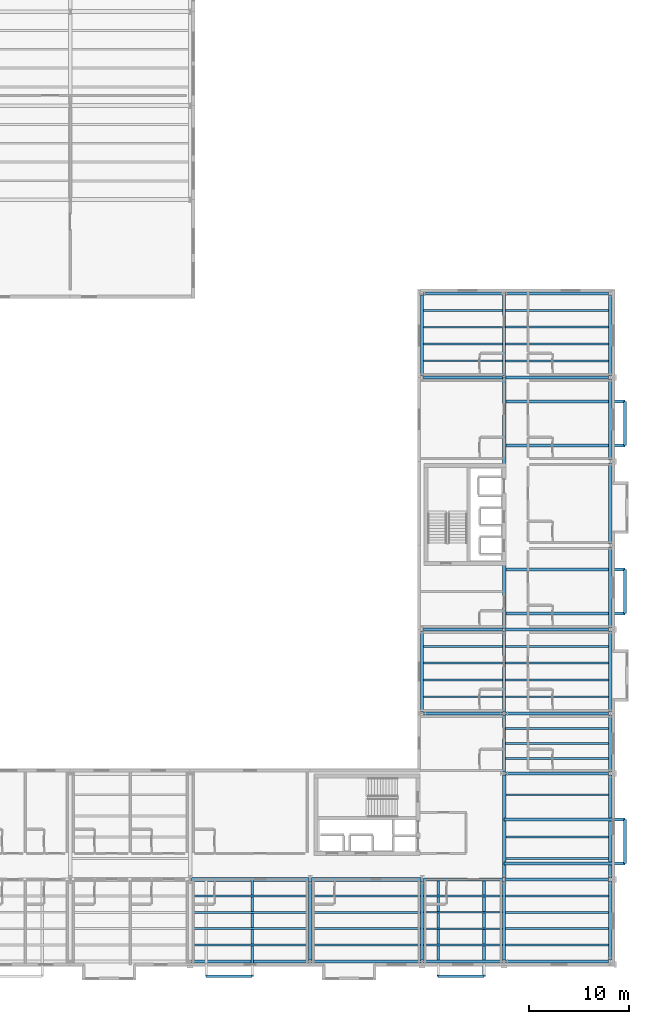
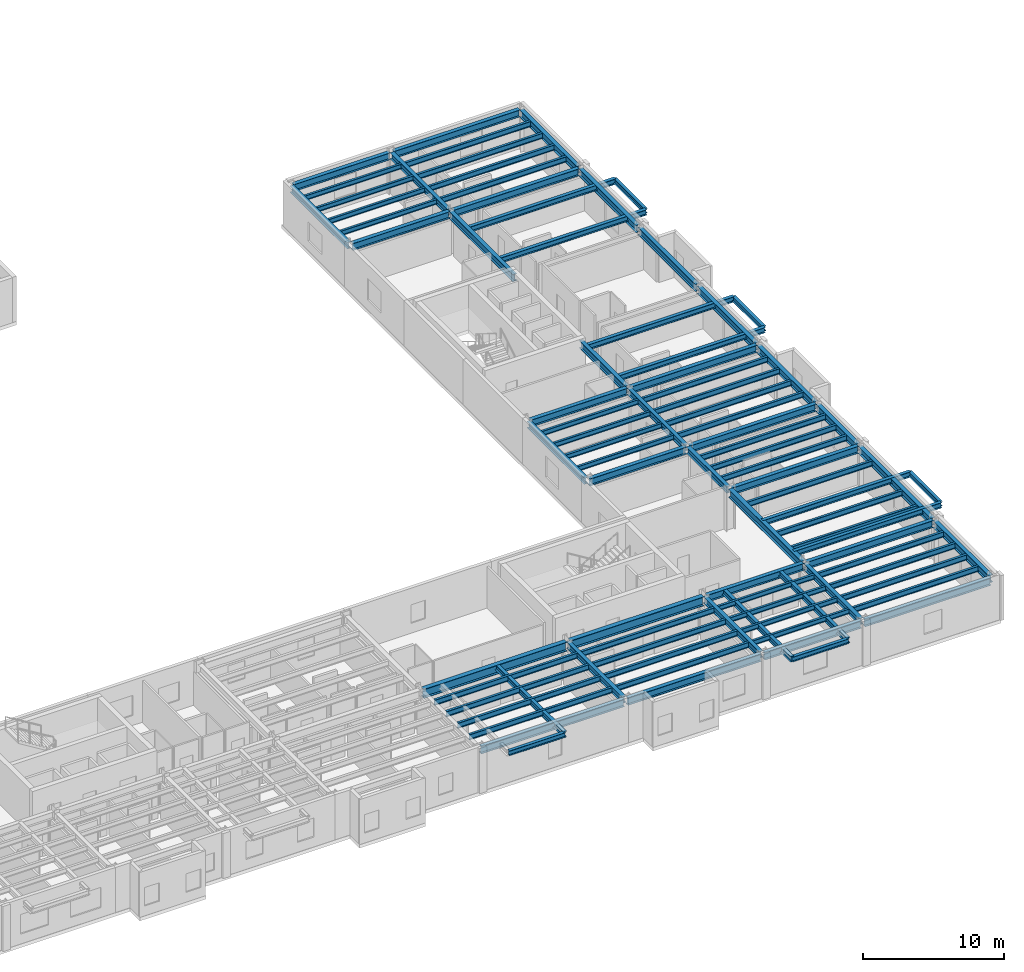
# One storey, part 25 of 59: 88 beams.
"""IFC4 building model written with IfcOpenShell, lengths in metres."""

from ifc_helpers import new_model, si_unit, direction, frame, origin, origin_2d, place, context, subcontext, project, spatial, i_section, extrude, material, material_profile, profile_set, type_object, element, save


model = new_model("IFC4")

# Units and contexts
model_context = context("Model", 3, precision=1e-05, world=origin(), true_north=direction((0.0, 1.0)))
body_context = subcontext(model_context, "Body", "Model", "MODEL_VIEW")
ifc_project = project(units=[si_unit("LENGTHUNIT", "METRE"), si_unit("AREAUNIT", "SQUARE_METRE"), si_unit("VOLUMEUNIT", "CUBIC_METRE"), si_unit("PLANEANGLEUNIT", "RADIAN"), si_unit("MASSUNIT", "GRAM", prefix="KILO")], contexts=[model_context])

# Site, building, storey
site_placement = place(None, origin())
site = spatial("IfcSite", under=ifc_project, at=site_placement, CompositionType="ELEMENT")
building_placement = place(site_placement, origin())
building = spatial("IfcBuilding", under=site, at=building_placement, Name="Sollismere Congress Hotel", CompositionType="ELEMENT")
storey_placement = place(building_placement, frame((0.0, 0.0, 15.60009765625)))
storey = spatial("IfcBuildingStorey", under=building, at=storey_placement, Name="L03", CompositionType="ELEMENT", Elevation=15.60009765625)

# Beams
ifc_material = material(Name="Steel ASTM A992 Grade 50", Category="steel")
ifc_material_profile_1 = material_profile(ifc_material, i_section(OverallWidth=0.281982421875, OverallDepth=0.471923828125, WebThickness=0.013671875, FlangeThickness=0.022216796875, at=origin_2d()), Name="W18X97")
ifc_profile_set_1 = profile_set([ifc_material_profile_1], Name="Steel ASTM A992 Grade 50")
beam_type_1 = type_object("IfcBeamType", Name="BM-CK18E", PredefinedType="BEAM", material=ifc_profile_set_1)
for number, where, z_axis, x_axis, name in (
    (1, (130.199951171875, 8.199951171875, 3.388916015625), (0.0, -1.0, 0.0), (1.0, 0.0, 0.0), "Beam BM-L03-3910"),
    (2, (148.800048828125, 8.199951171875, 3.388916015625), (0.0, -1.0, 0.0), (1.0, 0.0, 0.0), "Beam BM-L03-3912"),
    (3, (153.39990234375, 8.199951171875, 3.388916015625), (0.0, -1.0, 0.0), (1.0, 0.0, 0.0), "Beam BM-L03-3913"),
):
    element("IfcBeam", number, at=place(storey_placement, frame(where, z_axis=z_axis, x_axis=x_axis)), inside=storey, type_object=beam_type_1, Name=name, PredefinedType="BEAM", context=body_context, shape_type="SweptSolid", body=[
        extrude(i_section(OverallWidth=0.281982421875, OverallDepth=0.471923828125, WebThickness=0.013671875, FlangeThickness=0.022216796875, at=origin_2d()), origin(), (0.0, 0.0, 1.0), 9.68994140625),
    ])
for number, where, z_axis, x_axis, name in (
    (4, (155.39990234375, 9.800048828125, 3.388916015625), (1.0, 0.0, 0.0), (0.0, 1.0, 0.0), "Beam BM-L03-3915"),
    (5, (155.39990234375, 14.199951171875, 3.388916015625), (1.0, 0.0, 0.0), (0.0, 1.0, 0.0), "Beam BM-L03-3916"),
    (6, (155.39990234375, 34.800048828125, 3.388916015625), (1.0, 0.0, 0.0), (0.0, 1.0, 0.0), "Beam BM-L03-3918"),
    (7, (155.39990234375, 39.199951171875, 3.388916015625), (1.0, 0.0, 0.0), (0.0, 1.0, 0.0), "Beam BM-L03-3919"),
    (8, (155.39990234375, 51.60009765625, 3.388916015625), (1.0, 0.0, 0.0), (0.0, 1.0, 0.0), "Beam BM-L03-3921"),
    (9, (155.39990234375, 56.0, 3.388916015625), (1.0, 0.0, 0.0), (0.0, 1.0, 0.0), "Beam BM-L03-3922"),
):
    element("IfcBeam", number, at=place(storey_placement, frame(where, z_axis=z_axis, x_axis=x_axis)), inside=storey, type_object=beam_type_1, Name=name, PredefinedType="BEAM", context=body_context, shape_type="SweptSolid", body=[
        extrude(i_section(OverallWidth=0.281982421875, OverallDepth=0.471923828125, WebThickness=0.013671875, FlangeThickness=0.022216796875, at=origin_2d()), origin(), (0.0, 0.0, 1.0), 12.090087890625),
    ])
ifc_material_profile_2 = material_profile(ifc_material, i_section(OverallWidth=0.31494140625, OverallDepth=0.551025390625, WebThickness=0.01513671875, FlangeThickness=0.0244140625, at=origin_2d()), Name="W21X122")
ifc_profile_set_2 = profile_set([ifc_material_profile_2], Name="Steel ASTM A992 Grade 50")
beam_type_2 = type_object("IfcBeamType", Name="BM-G21H", PredefinedType="BEAM", material=ifc_profile_set_2)
for number, where, z_axis, x_axis, name in (
    (10, (136.0, 0.139892578125, 3.349365234375), (0.0, 1.0, 0.0), (-1.0, 0.0, 0.0), "Beam BM-L03-2459"),
    (11, (147.199951171875, 0.139892578125, 3.349365234375), (0.0, 1.0, 0.0), (-1.0, 0.0, 0.0), "Beam BM-L03-2460"),
):
    element("IfcBeam", number, at=place(storey_placement, frame(where, z_axis=z_axis, x_axis=x_axis)), inside=storey, type_object=beam_type_2, Name=name, PredefinedType="BEAM", context=body_context, shape_type="SweptSolid", body=[
        extrude(i_section(OverallWidth=0.31494140625, OverallDepth=0.551025390625, WebThickness=0.01513671875, FlangeThickness=0.0244140625, at=origin_2d()), origin(), (0.0, 0.0, 1.0), 7.920166015625),
    ])
beam_1_placement = place(storey_placement, frame((147.199951171875, 24.93994140625, 3.349365234375), z_axis=(0.0, 1.0, 0.0), x_axis=(-1.0, 0.0, 0.0)))
element("IfcBeam", 12, at=beam_1_placement, inside=storey, type_object=beam_type_2, Name="Beam BM-L03-2461", PredefinedType="BEAM", context=body_context, shape_type="SweptSolid", body=[
    extrude(i_section(OverallWidth=0.31494140625, OverallDepth=0.551025390625, WebThickness=0.01513671875, FlangeThickness=0.0244140625, at=origin_2d()), origin(), (0.0, 0.0, 1.0), 8.1201171875),
])
beam_2_placement = place(storey_placement, frame((147.199951171875, 58.5400390625, 3.349365234375), z_axis=(0.0, 1.0, 0.0), x_axis=(-1.0, 0.0, 0.0)))
element("IfcBeam", 13, at=beam_2_placement, inside=storey, type_object=beam_type_2, Name="Beam BM-L03-2462", PredefinedType="BEAM", context=body_context, shape_type="SweptSolid", body=[
    extrude(i_section(OverallWidth=0.31494140625, OverallDepth=0.551025390625, WebThickness=0.01513671875, FlangeThickness=0.0244140625, at=origin_2d()), origin(), (0.0, 0.0, 1.0), 8.119873046875),
])
beam_3_placement = place(storey_placement, frame((155.39990234375, 0.139892578125, 3.349365234375), z_axis=(0.0, 1.0, 0.0), x_axis=(-1.0, 0.0, 0.0)))
element("IfcBeam", 14, at=beam_3_placement, inside=storey, type_object=beam_type_2, Name="Beam BM-L03-2463", PredefinedType="BEAM", context=body_context, shape_type="SweptSolid", body=[
    extrude(i_section(OverallWidth=0.31494140625, OverallDepth=0.551025390625, WebThickness=0.01513671875, FlangeThickness=0.0244140625, at=origin_2d()), origin(), (0.0, 0.0, 1.0), 7.920166015625),
])
beam_4_placement = place(storey_placement, frame((155.39990234375, 18.93994140625, 3.349365234375), z_axis=(0.0, 1.0, 0.0), x_axis=(-1.0, 0.0, 0.0)))
element("IfcBeam", 15, at=beam_4_placement, inside=storey, type_object=beam_type_2, Name="Beam BM-L03-2465", PredefinedType="BEAM", context=body_context, shape_type="SweptSolid", body=[
    extrude(i_section(OverallWidth=0.31494140625, OverallDepth=0.551025390625, WebThickness=0.01513671875, FlangeThickness=0.0244140625, at=origin_2d()), origin(), (0.0, 0.0, 1.0), 5.719970703125),
])
beam_5_placement = place(storey_placement, frame((155.39990234375, 24.93994140625, 3.349365234375), z_axis=(0.0, 1.0, 0.0), x_axis=(-1.0, 0.0, 0.0)))
element("IfcBeam", 16, at=beam_5_placement, inside=storey, type_object=beam_type_2, Name="Beam BM-L03-2466", PredefinedType="BEAM", context=body_context, shape_type="SweptSolid", body=[
    extrude(i_section(OverallWidth=0.31494140625, OverallDepth=0.551025390625, WebThickness=0.01513671875, FlangeThickness=0.0244140625, at=origin_2d()), origin(), (0.0, 0.0, 1.0), 8.1201171875),
])
beam_6_placement = place(storey_placement, frame((155.39990234375, 58.5400390625, 3.349365234375), z_axis=(0.0, 1.0, 0.0), x_axis=(-1.0, 0.0, 0.0)))
element("IfcBeam", 17, at=beam_6_placement, inside=storey, type_object=beam_type_2, Name="Beam BM-L03-2467", PredefinedType="BEAM", context=body_context, shape_type="SweptSolid", body=[
    extrude(i_section(OverallWidth=0.31494140625, OverallDepth=0.551025390625, WebThickness=0.01513671875, FlangeThickness=0.0244140625, at=origin_2d()), origin(), (0.0, 0.0, 1.0), 8.119873046875),
])
ifc_material_profile_3 = material_profile(ifc_material, i_section(OverallWidth=0.324951171875, OverallDepth=0.612060546875, WebThickness=0.0126953125, FlangeThickness=0.01904296875, at=origin_2d()), Name="W24X104")
ifc_profile_set_3 = profile_set([ifc_material_profile_3], Name="Steel ASTM A992 Grade 50")
beam_type_3 = type_object("IfcBeamType", Name="BM-G24", PredefinedType="BEAM", material=ifc_profile_set_3)
beam_7_placement = place(storey_placement, frame((147.340087890625, 8.199951171875, 3.31884765625), z_axis=(1.0, 0.0, 0.0), x_axis=(0.0, 1.0, 0.0)))
element("IfcBeam", 18, at=beam_7_placement, inside=storey, type_object=beam_type_3, Name="Beam BM-L03-2355", PredefinedType="BEAM", context=body_context, shape_type="SweptSolid", body=[
    extrude(i_section(OverallWidth=0.324951171875, OverallDepth=0.612060546875, WebThickness=0.0126953125, FlangeThickness=0.01904296875, at=origin_2d()), origin(), (0.0, 0.0, 1.0), 7.919921875),
])
for number, where, z_axis, x_axis, name in (
    (19, (155.5400390625, 8.199951171875, 3.31884765625), (1.0, 0.0, 0.0), (0.0, 1.0, 0.0), "Beam BM-L03-2356"),
    (20, (155.5400390625, 18.800048828125, 3.31884765625), (1.0, 0.0, 0.0), (0.0, 1.0, 0.0), "Beam BM-L03-2361"),
):
    element("IfcBeam", number, at=place(storey_placement, frame(where, z_axis=z_axis, x_axis=x_axis)), inside=storey, type_object=beam_type_3, Name=name, PredefinedType="BEAM", context=body_context, shape_type="SweptSolid", body=[
        extrude(i_section(OverallWidth=0.324951171875, OverallDepth=0.612060546875, WebThickness=0.0126953125, FlangeThickness=0.01904296875, at=origin_2d()), origin(), (0.0, 0.0, 1.0), 10.320068359375),
    ])
beam_8_placement = place(storey_placement, frame((147.340087890625, 24.800048828125, 3.31884765625), z_axis=(1.0, 0.0, 0.0), x_axis=(0.0, 1.0, 0.0)))
element("IfcBeam", 21, at=beam_8_placement, inside=storey, type_object=beam_type_3, Name="Beam BM-L03-2364", PredefinedType="BEAM", context=body_context, shape_type="SweptSolid", body=[
    extrude(i_section(OverallWidth=0.324951171875, OverallDepth=0.612060546875, WebThickness=0.0126953125, FlangeThickness=0.01904296875, at=origin_2d()), origin(), (0.0, 0.0, 1.0), 7.919921875),
])
beam_9_placement = place(storey_placement, frame((155.5400390625, 24.800048828125, 3.31884765625), z_axis=(1.0, 0.0, 0.0), x_axis=(0.0, 1.0, 0.0)))
element("IfcBeam", 22, at=beam_9_placement, inside=storey, type_object=beam_type_3, Name="Beam BM-L03-2365", PredefinedType="BEAM", context=body_context, shape_type="SweptSolid", body=[
    extrude(i_section(OverallWidth=0.324951171875, OverallDepth=0.612060546875, WebThickness=0.0126953125, FlangeThickness=0.01904296875, at=origin_2d()), origin(), (0.0, 0.0, 1.0), 10.320068359375),
])
beam_10_placement = place(storey_placement, frame((147.340087890625, 33.199951171875, 3.31884765625), z_axis=(1.0, 0.0, 0.0), x_axis=(0.0, 1.0, 0.0)))
element("IfcBeam", 23, at=beam_10_placement, inside=storey, type_object=beam_type_3, Name="Beam BM-L03-2368", PredefinedType="BEAM", context=body_context, shape_type="SweptSolid", body=[
    extrude(i_section(OverallWidth=0.324951171875, OverallDepth=0.612060546875, WebThickness=0.0126953125, FlangeThickness=0.01904296875, at=origin_2d()), origin(), (0.0, 0.0, 1.0), 7.919921875),
])
beam_11_placement = place(storey_placement, frame((155.5400390625, 33.199951171875, 3.31884765625), z_axis=(1.0, 0.0, 0.0), x_axis=(0.0, 1.0, 0.0)))
element("IfcBeam", 24, at=beam_11_placement, inside=storey, type_object=beam_type_3, Name="Beam BM-L03-2369", PredefinedType="BEAM", context=body_context, shape_type="SweptSolid", body=[
    extrude(i_section(OverallWidth=0.324951171875, OverallDepth=0.612060546875, WebThickness=0.0126953125, FlangeThickness=0.01904296875, at=origin_2d()), origin(), (0.0, 0.0, 1.0), 10.320068359375),
])
beam_12_placement = place(storey_placement, frame((147.340087890625, 58.39990234375, 3.31884765625), z_axis=(1.0, 0.0, 0.0), x_axis=(0.0, 1.0, 0.0)))
element("IfcBeam", 25, at=beam_12_placement, inside=storey, type_object=beam_type_3, Name="Beam BM-L03-2374", PredefinedType="BEAM", context=body_context, shape_type="SweptSolid", body=[
    extrude(i_section(OverallWidth=0.324951171875, OverallDepth=0.612060546875, WebThickness=0.0126953125, FlangeThickness=0.01904296875, at=origin_2d()), origin(), (0.0, 0.0, 1.0), 7.919921875),
])
beam_13_placement = place(storey_placement, frame((155.5400390625, 58.39990234375, 3.31884765625), z_axis=(1.0, 0.0, 0.0), x_axis=(0.0, 1.0, 0.0)))
element("IfcBeam", 26, at=beam_13_placement, inside=storey, type_object=beam_type_3, Name="Beam BM-L03-2375", PredefinedType="BEAM", context=body_context, shape_type="SweptSolid", body=[
    extrude(i_section(OverallWidth=0.324951171875, OverallDepth=0.612060546875, WebThickness=0.0126953125, FlangeThickness=0.01904296875, at=origin_2d()), origin(), (0.0, 0.0, 1.0), 10.320068359375),
])
beam_14_placement = place(storey_placement, frame((147.340087890625, 66.800048828125, 3.31884765625), z_axis=(1.0, 0.0, 0.0), x_axis=(0.0, 1.0, 0.0)))
element("IfcBeam", 27, at=beam_14_placement, inside=storey, type_object=beam_type_3, Name="Beam BM-L03-2381", PredefinedType="BEAM", context=body_context, shape_type="SweptSolid", body=[
    extrude(i_section(OverallWidth=0.324951171875, OverallDepth=0.612060546875, WebThickness=0.0126953125, FlangeThickness=0.01904296875, at=origin_2d()), origin(), (0.0, 0.0, 1.0), 7.919921875),
])
beam_15_placement = place(storey_placement, frame((155.5400390625, 66.800048828125, 3.31884765625), z_axis=(1.0, 0.0, 0.0), x_axis=(0.0, 1.0, 0.0)))
element("IfcBeam", 28, at=beam_15_placement, inside=storey, type_object=beam_type_3, Name="Beam BM-L03-2382", PredefinedType="BEAM", context=body_context, shape_type="SweptSolid", body=[
    extrude(i_section(OverallWidth=0.324951171875, OverallDepth=0.612060546875, WebThickness=0.0126953125, FlangeThickness=0.01904296875, at=origin_2d()), origin(), (0.0, 0.0, 1.0), 10.320068359375),
])
ifc_material_profile_4 = material_profile(ifc_material, i_section(OverallWidth=0.330078125, OverallDepth=0.635009765625, WebThickness=0.017822265625, FlangeThickness=0.031005859375, at=origin_2d()), Name="W24X162")
ifc_profile_set_4 = profile_set([ifc_material_profile_4], Name="Steel ASTM A992 Grade 50")
beam_type_4 = type_object("IfcBeamType", Name="BM-G24H", PredefinedType="BEAM", material=ifc_profile_set_4)
beam_16_placement = place(storey_placement, frame((155.39990234375, 33.320068359375, 3.307373046875), z_axis=(0.0, 1.0, 0.0), x_axis=(-1.0, 0.0, 0.0)))
element("IfcBeam", 29, at=beam_16_placement, inside=storey, type_object=beam_type_4, Name="Beam BM-L03-3898", PredefinedType="BEAM", context=body_context, shape_type="SweptSolid", body=[
    extrude(i_section(OverallWidth=0.330078125, OverallDepth=0.635009765625, WebThickness=0.017822265625, FlangeThickness=0.031005859375, at=origin_2d()), origin(), (0.0, 0.0, 1.0), 6.530029296875),
])
beam_17_placement = place(storey_placement, frame((155.39990234375, 49.25, 3.307373046875), z_axis=(0.0, 1.0, 0.0), x_axis=(-1.0, 0.0, 0.0)))
element("IfcBeam", 30, at=beam_17_placement, inside=storey, type_object=beam_type_4, Name="Beam BM-L03-3899", PredefinedType="BEAM", context=body_context, shape_type="SweptSolid", body=[
    extrude(i_section(OverallWidth=0.330078125, OverallDepth=0.635009765625, WebThickness=0.017822265625, FlangeThickness=0.031005859375, at=origin_2d()), origin(), (0.0, 0.0, 1.0), 9.14990234375),
])
ifc_material_profile_5 = material_profile(ifc_material, i_section(OverallWidth=0.35595703125, OverallDepth=0.696044921875, WebThickness=0.015380859375, FlangeThickness=0.025146484375, at=origin_2d()), Name="W27X146")
ifc_profile_set_5 = profile_set([ifc_material_profile_5], Name="Steel ASTM A992 Grade 50")
beam_type_5 = type_object("IfcBeamType", Name="BM-G27", PredefinedType="BEAM", material=ifc_profile_set_5)
beam_18_placement = place(storey_placement, frame((155.39990234375, 8.340087890625, 3.27685546875), z_axis=(0.0, 1.0, 0.0), x_axis=(-1.0, 0.0, 0.0)))
element("IfcBeam", 31, at=beam_18_placement, inside=storey, type_object=beam_type_5, Name="Beam BM-L03-2464", PredefinedType="BEAM", context=body_context, shape_type="SweptSolid", body=[
    extrude(i_section(OverallWidth=0.35595703125, OverallDepth=0.696044921875, WebThickness=0.015380859375, FlangeThickness=0.025146484375, at=origin_2d()), origin(), (0.0, 0.0, 1.0), 10.31982421875),
])
ifc_material_profile_6 = material_profile(ifc_material, i_section(OverallWidth=0.384033203125, OverallDepth=0.787109375, WebThickness=0.019775390625, FlangeThickness=0.033447265625, at=origin_2d()), Name="W30X211")
ifc_profile_set_6 = profile_set([ifc_material_profile_6], Name="Steel ASTM A992 Grade 50")
beam_type_6 = type_object("IfcBeamType", Name="BM-G30", PredefinedType="BEAM", material=ifc_profile_set_6)
beam_19_placement = place(storey_placement, frame((124.139892578125, 8.199951171875, 3.2314453125), z_axis=(1.0, 0.0, 0.0), x_axis=(0.0, 1.0, 0.0)))
element("IfcBeam", 32, at=beam_19_placement, inside=storey, type_object=beam_type_6, Name="Beam BM-L03-2353", PredefinedType="BEAM", context=body_context, shape_type="SweptSolid", body=[
    extrude(i_section(OverallWidth=0.384033203125, OverallDepth=0.787109375, WebThickness=0.019775390625, FlangeThickness=0.033447265625, at=origin_2d()), origin(), (0.0, 0.0, 1.0), 11.72021484375),
])
beam_20_placement = place(storey_placement, frame((136.139892578125, 8.199951171875, 3.2314453125), z_axis=(1.0, 0.0, 0.0), x_axis=(0.0, 1.0, 0.0)))
element("IfcBeam", 33, at=beam_20_placement, inside=storey, type_object=beam_type_6, Name="Beam BM-L03-2354", PredefinedType="BEAM", context=body_context, shape_type="SweptSolid", body=[
    extrude(i_section(OverallWidth=0.384033203125, OverallDepth=0.787109375, WebThickness=0.019775390625, FlangeThickness=0.033447265625, at=origin_2d()), origin(), (0.0, 0.0, 1.0), 10.920166015625),
])
ifc_material_profile_7 = material_profile(ifc_material, i_section(OverallWidth=0.180908203125, OverallDepth=0.4169921875, WebThickness=0.010986328125, FlangeThickness=0.018310546875, at=origin_2d()), Name="W16X57")
ifc_profile_set_7 = profile_set([ifc_material_profile_7], Name="Steel ASTM A992 Grade 50")
beam_type_7 = type_object("IfcBeamType", Name="BM-J16", PredefinedType="JOIST", material=ifc_profile_set_7)
for number, where, z_axis, x_axis, name in (
    (34, (147.357421875, 1.639892578125, 3.41650390625), (1.0, 0.0, 0.0), (0.0, 1.0, 0.0), "Beam BM-L03-2621"),
    (35, (147.357421875, 3.280029296875, 3.41650390625), (1.0, 0.0, 0.0), (0.0, 1.0, 0.0), "Beam BM-L03-2622"),
    (36, (147.357421875, 4.919921875, 3.41650390625), (1.0, 0.0, 0.0), (0.0, 1.0, 0.0), "Beam BM-L03-2623"),
    (37, (147.357421875, 6.56005859375, 3.41650390625), (1.0, 0.0, 0.0), (0.0, 1.0, 0.0), "Beam BM-L03-2624"),
    (38, (147.357421875, 26.47998046875, 3.41650390625), (1.0, 0.0, 0.0), (0.0, 1.0, 0.0), "Beam BM-L03-2625"),
    (39, (147.357421875, 28.159912109375, 3.41650390625), (1.0, 0.0, 0.0), (0.0, 1.0, 0.0), "Beam BM-L03-2626"),
    (40, (147.357421875, 29.840087890625, 3.41650390625), (1.0, 0.0, 0.0), (0.0, 1.0, 0.0), "Beam BM-L03-2627"),
    (41, (147.357421875, 31.52001953125, 3.41650390625), (1.0, 0.0, 0.0), (0.0, 1.0, 0.0), "Beam BM-L03-2628"),
    (42, (147.357421875, 60.080078125, 3.41650390625), (1.0, 0.0, 0.0), (0.0, 1.0, 0.0), "Beam BM-L03-2629"),
    (43, (147.357421875, 61.760009765625, 3.41650390625), (1.0, 0.0, 0.0), (0.0, 1.0, 0.0), "Beam BM-L03-2630"),
    (44, (147.357421875, 63.43994140625, 3.41650390625), (1.0, 0.0, 0.0), (0.0, 1.0, 0.0), "Beam BM-L03-2631"),
    (45, (147.357421875, 65.1201171875, 3.41650390625), (1.0, 0.0, 0.0), (0.0, 1.0, 0.0), "Beam BM-L03-2632"),
):
    element("IfcBeam", number, at=place(storey_placement, frame(where, z_axis=z_axis, x_axis=x_axis)), inside=storey, type_object=beam_type_7, Name=name, PredefinedType="JOIST", context=body_context, shape_type="SweptSolid", body=[
        extrude(i_section(OverallWidth=0.180908203125, OverallDepth=0.4169921875, WebThickness=0.010986328125, FlangeThickness=0.018310546875, at=origin_2d()), origin(), (0.0, 0.0, 1.0), 7.885009765625),
    ])
ifc_material_profile_8 = material_profile(ifc_material, i_section(OverallWidth=0.193115234375, OverallDepth=0.467041015625, WebThickness=0.011474609375, FlangeThickness=0.01904296875, at=origin_2d()), Name="W18X65")
ifc_profile_set_8 = profile_set([ifc_material_profile_8], Name="Steel ASTM A992 Grade 50")
beam_type_8 = type_object("IfcBeamType", Name="BM-J18", PredefinedType="JOIST", material=ifc_profile_set_8)
for number, where, z_axis, x_axis, name in (
    (46, (124.157470703125, 1.639892578125, 3.391357421875), (1.0, 0.0, 0.0), (0.0, 1.0, 0.0), "Beam BM-L03-2613"),
    (47, (124.157470703125, 3.280029296875, 3.391357421875), (1.0, 0.0, 0.0), (0.0, 1.0, 0.0), "Beam BM-L03-2614"),
    (48, (124.157470703125, 4.919921875, 3.391357421875), (1.0, 0.0, 0.0), (0.0, 1.0, 0.0), "Beam BM-L03-2615"),
    (49, (124.157470703125, 6.56005859375, 3.391357421875), (1.0, 0.0, 0.0), (0.0, 1.0, 0.0), "Beam BM-L03-2616"),
):
    element("IfcBeam", number, at=place(storey_placement, frame(where, z_axis=z_axis, x_axis=x_axis)), inside=storey, type_object=beam_type_8, Name=name, PredefinedType="JOIST", context=body_context, shape_type="SweptSolid", body=[
        extrude(i_section(OverallWidth=0.193115234375, OverallDepth=0.467041015625, WebThickness=0.011474609375, FlangeThickness=0.01904296875, at=origin_2d()), origin(), (0.0, 0.0, 1.0), 11.68505859375),
    ])
for number, where, z_axis, x_axis, name in (
    (50, (136.157470703125, 1.639892578125, 3.391357421875), (1.0, 0.0, 0.0), (0.0, 1.0, 0.0), "Beam BM-L03-2617"),
    (51, (136.157470703125, 3.280029296875, 3.391357421875), (1.0, 0.0, 0.0), (0.0, 1.0, 0.0), "Beam BM-L03-2618"),
    (52, (136.157470703125, 4.919921875, 3.391357421875), (1.0, 0.0, 0.0), (0.0, 1.0, 0.0), "Beam BM-L03-2619"),
    (53, (136.157470703125, 6.56005859375, 3.391357421875), (1.0, 0.0, 0.0), (0.0, 1.0, 0.0), "Beam BM-L03-2620"),
):
    element("IfcBeam", number, at=place(storey_placement, frame(where, z_axis=z_axis, x_axis=x_axis)), inside=storey, type_object=beam_type_8, Name=name, PredefinedType="JOIST", context=body_context, shape_type="SweptSolid", body=[
        extrude(i_section(OverallWidth=0.193115234375, OverallDepth=0.467041015625, WebThickness=0.011474609375, FlangeThickness=0.01904296875, at=origin_2d()), origin(), (0.0, 0.0, 1.0), 10.885009765625),
    ])
for number, where, z_axis, x_axis, name in (
    (54, (155.5576171875, 1.639892578125, 3.391357421875), (1.0, 0.0, 0.0), (0.0, 1.0, 0.0), "Beam BM-L03-2633"),
    (55, (155.5576171875, 3.280029296875, 3.391357421875), (1.0, 0.0, 0.0), (0.0, 1.0, 0.0), "Beam BM-L03-2634"),
    (56, (155.5576171875, 4.919921875, 3.391357421875), (1.0, 0.0, 0.0), (0.0, 1.0, 0.0), "Beam BM-L03-2635"),
    (57, (155.5576171875, 6.56005859375, 3.391357421875), (1.0, 0.0, 0.0), (0.0, 1.0, 0.0), "Beam BM-L03-2636"),
):
    element("IfcBeam", number, at=place(storey_placement, frame(where, z_axis=z_axis, x_axis=x_axis)), inside=storey, type_object=beam_type_8, Name=name, PredefinedType="JOIST", context=body_context, shape_type="SweptSolid", body=[
        extrude(i_section(OverallWidth=0.193115234375, OverallDepth=0.467041015625, WebThickness=0.011474609375, FlangeThickness=0.01904296875, at=origin_2d()), origin(), (0.0, 0.0, 1.0), 10.27734375),
    ])
for number, where, z_axis, x_axis, name in (
    (58, (155.577880859375, 10.320068359375, 3.391357421875), (1.0, 0.0, 0.0), (0.0, 1.0, 0.0), "Beam BM-L03-2637"),
    (59, (155.577880859375, 12.43994140625, 3.391357421875), (1.0, 0.0, 0.0), (0.0, 1.0, 0.0), "Beam BM-L03-2638"),
    (60, (155.577880859375, 16.679931640625, 3.391357421875), (1.0, 0.0, 0.0), (0.0, 1.0, 0.0), "Beam BM-L03-2639"),
):
    element("IfcBeam", number, at=place(storey_placement, frame(where, z_axis=z_axis, x_axis=x_axis)), inside=storey, type_object=beam_type_8, Name=name, PredefinedType="JOIST", context=body_context, shape_type="SweptSolid", body=[
        extrude(i_section(OverallWidth=0.193115234375, OverallDepth=0.467041015625, WebThickness=0.011474609375, FlangeThickness=0.01904296875, at=origin_2d()), origin(), (0.0, 0.0, 1.0), 10.257080078125),
    ])
for number, where, z_axis, x_axis, name in (
    (61, (155.5576171875, 20.300048828125, 3.391357421875), (1.0, 0.0, 0.0), (0.0, 1.0, 0.0), "Beam BM-L03-2640"),
    (62, (155.5576171875, 21.800048828125, 3.391357421875), (1.0, 0.0, 0.0), (0.0, 1.0, 0.0), "Beam BM-L03-2641"),
    (63, (155.5576171875, 23.300048828125, 3.391357421875), (1.0, 0.0, 0.0), (0.0, 1.0, 0.0), "Beam BM-L03-2642"),
    (64, (155.5576171875, 26.47998046875, 3.391357421875), (1.0, 0.0, 0.0), (0.0, 1.0, 0.0), "Beam BM-L03-2643"),
    (65, (155.5576171875, 28.159912109375, 3.391357421875), (1.0, 0.0, 0.0), (0.0, 1.0, 0.0), "Beam BM-L03-2644"),
    (66, (155.5576171875, 29.840087890625, 3.391357421875), (1.0, 0.0, 0.0), (0.0, 1.0, 0.0), "Beam BM-L03-2645"),
    (67, (155.5576171875, 31.52001953125, 3.391357421875), (1.0, 0.0, 0.0), (0.0, 1.0, 0.0), "Beam BM-L03-2646"),
    (68, (155.5576171875, 60.080078125, 3.391357421875), (1.0, 0.0, 0.0), (0.0, 1.0, 0.0), "Beam BM-L03-2647"),
    (69, (155.5576171875, 61.760009765625, 3.391357421875), (1.0, 0.0, 0.0), (0.0, 1.0, 0.0), "Beam BM-L03-2648"),
    (70, (155.5576171875, 63.43994140625, 3.391357421875), (1.0, 0.0, 0.0), (0.0, 1.0, 0.0), "Beam BM-L03-2649"),
    (71, (155.5576171875, 65.1201171875, 3.391357421875), (1.0, 0.0, 0.0), (0.0, 1.0, 0.0), "Beam BM-L03-2650"),
):
    element("IfcBeam", number, at=place(storey_placement, frame(where, z_axis=z_axis, x_axis=x_axis)), inside=storey, type_object=beam_type_8, Name=name, PredefinedType="JOIST", context=body_context, shape_type="SweptSolid", body=[
        extrude(i_section(OverallWidth=0.193115234375, OverallDepth=0.467041015625, WebThickness=0.011474609375, FlangeThickness=0.01904296875, at=origin_2d()), origin(), (0.0, 0.0, 1.0), 10.27734375),
    ])
ifc_material_profile_9 = material_profile(ifc_material, i_section(OverallWidth=0.261962890625, OverallDepth=0.4189453125, WebThickness=0.01171875, FlangeThickness=0.019287109375, at=origin_2d()), Name="W16X77")
ifc_profile_set_9 = profile_set([ifc_material_profile_9], Name="Steel ASTM A992 Grade 50")
beam_type_9 = type_object("IfcBeamType", Name="BM-LN16E", PredefinedType="LINTEL", material=ifc_profile_set_9)
for number, where, z_axis, x_axis, name in (
    (72, (125.60009765625, -1.489990234375, 3.415283203125), (1.0, 0.0, 0.0), (0.0, 1.0, 0.0), "Beam BM-L03-3911"),
    (73, (148.800048828125, -1.489990234375, 3.415283203125), (1.0, 0.0, 0.0), (0.0, 1.0, 0.0), "Beam BM-L03-3914"),
):
    element("IfcBeam", number, at=place(storey_placement, frame(where, z_axis=z_axis, x_axis=x_axis)), inside=storey, type_object=beam_type_9, Name=name, PredefinedType="LINTEL", context=body_context, shape_type="SweptSolid", body=[
        extrude(i_section(OverallWidth=0.261962890625, OverallDepth=0.4189453125, WebThickness=0.01171875, FlangeThickness=0.019287109375, at=origin_2d()), origin(), (0.0, 0.0, 1.0), 4.599853515625),
    ])
for number, where, z_axis, x_axis, name in (
    (74, (167.489990234375, 9.800048828125, 3.415283203125), (0.0, 1.0, 0.0), (-1.0, 0.0, 0.0), "Beam BM-L03-3917"),
    (75, (167.489990234375, 34.800048828125, 3.415283203125), (0.0, 1.0, 0.0), (-1.0, 0.0, 0.0), "Beam BM-L03-3920"),
    (76, (167.489990234375, 51.60009765625, 3.415283203125), (0.0, 1.0, 0.0), (-1.0, 0.0, 0.0), "Beam BM-L03-3923"),
):
    element("IfcBeam", number, at=place(storey_placement, frame(where, z_axis=z_axis, x_axis=x_axis)), inside=storey, type_object=beam_type_9, Name=name, PredefinedType="LINTEL", context=body_context, shape_type="SweptSolid", body=[
        extrude(i_section(OverallWidth=0.261962890625, OverallDepth=0.4189453125, WebThickness=0.01171875, FlangeThickness=0.019287109375, at=origin_2d()), origin(), (0.0, 0.0, 1.0), 4.39990234375),
    ])
ifc_material_profile_10 = material_profile(ifc_material, i_section(OverallWidth=0.330078125, OverallDepth=0.635009765625, WebThickness=0.017822265625, FlangeThickness=0.031005859375, at=origin_2d()), Name="W24X162")
ifc_profile_set_10 = profile_set([ifc_material_profile_10], Name="Steel ASTM A992 Grade 50")
beam_type_10 = type_object("IfcBeamType", Name="BM-SP24E", PredefinedType="SPANDREL", material=ifc_profile_set_10)
beam_21_placement = place(storey_placement, frame((124.139892578125, 0.0, 3.307373046875), z_axis=(1.0, 0.0, 0.0), x_axis=(0.0, 1.0, 0.0)))
element("IfcBeam", 77, at=beam_21_placement, inside=storey, type_object=beam_type_10, Name="Beam BM-L03-2339", PredefinedType="SPANDREL", context=body_context, shape_type="SweptSolid", body=[
    extrude(i_section(OverallWidth=0.330078125, OverallDepth=0.635009765625, WebThickness=0.017822265625, FlangeThickness=0.031005859375, at=origin_2d()), origin(), (0.0, 0.0, 1.0), 11.72021484375),
])
beam_22_placement = place(storey_placement, frame((136.139892578125, 0.0, 3.307373046875), z_axis=(1.0, 0.0, 0.0), x_axis=(0.0, 1.0, 0.0)))
element("IfcBeam", 78, at=beam_22_placement, inside=storey, type_object=beam_type_10, Name="Beam BM-L03-2340", PredefinedType="SPANDREL", context=body_context, shape_type="SweptSolid", body=[
    extrude(i_section(OverallWidth=0.330078125, OverallDepth=0.635009765625, WebThickness=0.017822265625, FlangeThickness=0.031005859375, at=origin_2d()), origin(), (0.0, 0.0, 1.0), 10.920166015625),
])
beam_23_placement = place(storey_placement, frame((147.340087890625, 0.0, 3.307373046875), z_axis=(1.0, 0.0, 0.0), x_axis=(0.0, 1.0, 0.0)))
element("IfcBeam", 79, at=beam_23_placement, inside=storey, type_object=beam_type_10, Name="Beam BM-L03-2341", PredefinedType="SPANDREL", context=body_context, shape_type="SweptSolid", body=[
    extrude(i_section(OverallWidth=0.330078125, OverallDepth=0.635009765625, WebThickness=0.017822265625, FlangeThickness=0.031005859375, at=origin_2d()), origin(), (0.0, 0.0, 1.0), 7.919921875),
])
beam_24_placement = place(storey_placement, frame((155.5400390625, 0.0, 3.307373046875), z_axis=(1.0, 0.0, 0.0), x_axis=(0.0, 1.0, 0.0)))
element("IfcBeam", 80, at=beam_24_placement, inside=storey, type_object=beam_type_10, Name="Beam BM-L03-2342", PredefinedType="SPANDREL", context=body_context, shape_type="SweptSolid", body=[
    extrude(i_section(OverallWidth=0.330078125, OverallDepth=0.635009765625, WebThickness=0.017822265625, FlangeThickness=0.031005859375, at=origin_2d()), origin(), (0.0, 0.0, 1.0), 10.320068359375),
])
beam_25_placement = place(storey_placement, frame((166.0, 0.139892578125, 3.307373046875), z_axis=(0.0, 1.0, 0.0), x_axis=(-1.0, 0.0, 0.0)))
element("IfcBeam", 81, at=beam_25_placement, inside=storey, type_object=beam_type_10, Name="Beam BM-L03-2468", PredefinedType="SPANDREL", context=body_context, shape_type="SweptSolid", body=[
    extrude(i_section(OverallWidth=0.330078125, OverallDepth=0.635009765625, WebThickness=0.017822265625, FlangeThickness=0.031005859375, at=origin_2d()), origin(), (0.0, 0.0, 1.0), 7.920166015625),
])
beam_26_placement = place(storey_placement, frame((166.0, 8.340087890625, 3.307373046875), z_axis=(0.0, 1.0, 0.0), x_axis=(-1.0, 0.0, 0.0)))
element("IfcBeam", 82, at=beam_26_placement, inside=storey, type_object=beam_type_10, Name="Beam BM-L03-2469", PredefinedType="SPANDREL", context=body_context, shape_type="SweptSolid", body=[
    extrude(i_section(OverallWidth=0.330078125, OverallDepth=0.635009765625, WebThickness=0.017822265625, FlangeThickness=0.031005859375, at=origin_2d()), origin(), (0.0, 0.0, 1.0), 10.31982421875),
])
beam_27_placement = place(storey_placement, frame((166.0, 18.93994140625, 3.307373046875), z_axis=(0.0, 1.0, 0.0), x_axis=(-1.0, 0.0, 0.0)))
element("IfcBeam", 83, at=beam_27_placement, inside=storey, type_object=beam_type_10, Name="Beam BM-L03-2470", PredefinedType="SPANDREL", context=body_context, shape_type="SweptSolid", body=[
    extrude(i_section(OverallWidth=0.330078125, OverallDepth=0.635009765625, WebThickness=0.017822265625, FlangeThickness=0.031005859375, at=origin_2d()), origin(), (0.0, 0.0, 1.0), 5.719970703125),
])
beam_28_placement = place(storey_placement, frame((166.0, 24.93994140625, 3.307373046875), z_axis=(0.0, 1.0, 0.0), x_axis=(-1.0, 0.0, 0.0)))
element("IfcBeam", 84, at=beam_28_placement, inside=storey, type_object=beam_type_10, Name="Beam BM-L03-2471", PredefinedType="SPANDREL", context=body_context, shape_type="SweptSolid", body=[
    extrude(i_section(OverallWidth=0.330078125, OverallDepth=0.635009765625, WebThickness=0.017822265625, FlangeThickness=0.031005859375, at=origin_2d()), origin(), (0.0, 0.0, 1.0), 8.1201171875),
])
beam_29_placement = place(storey_placement, frame((166.0, 33.340087890625, 3.307373046875), z_axis=(0.0, 1.0, 0.0), x_axis=(-1.0, 0.0, 0.0)))
element("IfcBeam", 85, at=beam_29_placement, inside=storey, type_object=beam_type_10, Name="Beam BM-L03-2472", PredefinedType="SPANDREL", context=body_context, shape_type="SweptSolid", body=[
    extrude(i_section(OverallWidth=0.330078125, OverallDepth=0.635009765625, WebThickness=0.017822265625, FlangeThickness=0.031005859375, at=origin_2d()), origin(), (0.0, 0.0, 1.0), 8.119873046875),
])
for number, where, z_axis, x_axis, name in (
    (86, (166.0, 41.739990234375, 3.307373046875), (0.0, 1.0, 0.0), (-1.0, 0.0, 0.0), "Beam BM-L03-2473"),
    (87, (166.0, 50.139892578125, 3.307373046875), (0.0, 1.0, 0.0), (-1.0, 0.0, 0.0), "Beam BM-L03-2474"),
):
    element("IfcBeam", number, at=place(storey_placement, frame(where, z_axis=z_axis, x_axis=x_axis)), inside=storey, type_object=beam_type_10, Name=name, PredefinedType="SPANDREL", context=body_context, shape_type="SweptSolid", body=[
        extrude(i_section(OverallWidth=0.330078125, OverallDepth=0.635009765625, WebThickness=0.017822265625, FlangeThickness=0.031005859375, at=origin_2d()), origin(), (0.0, 0.0, 1.0), 8.1201171875),
    ])
beam_30_placement = place(storey_placement, frame((166.0, 58.5400390625, 3.307373046875), z_axis=(0.0, 1.0, 0.0), x_axis=(-1.0, 0.0, 0.0)))
element("IfcBeam", 88, at=beam_30_placement, inside=storey, type_object=beam_type_10, Name="Beam BM-L03-2475", PredefinedType="SPANDREL", context=body_context, shape_type="SweptSolid", body=[
    extrude(i_section(OverallWidth=0.330078125, OverallDepth=0.635009765625, WebThickness=0.017822265625, FlangeThickness=0.031005859375, at=origin_2d()), origin(), (0.0, 0.0, 1.0), 8.119873046875),
])

save(model, "model.ifc")
